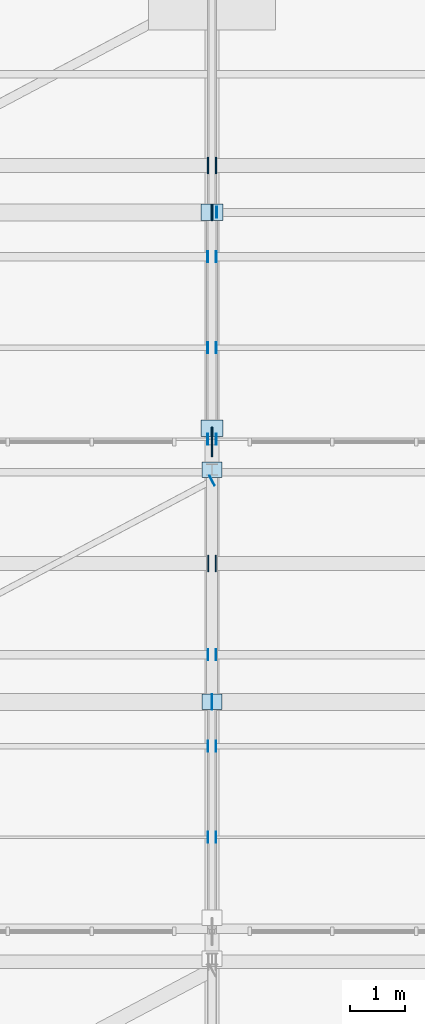
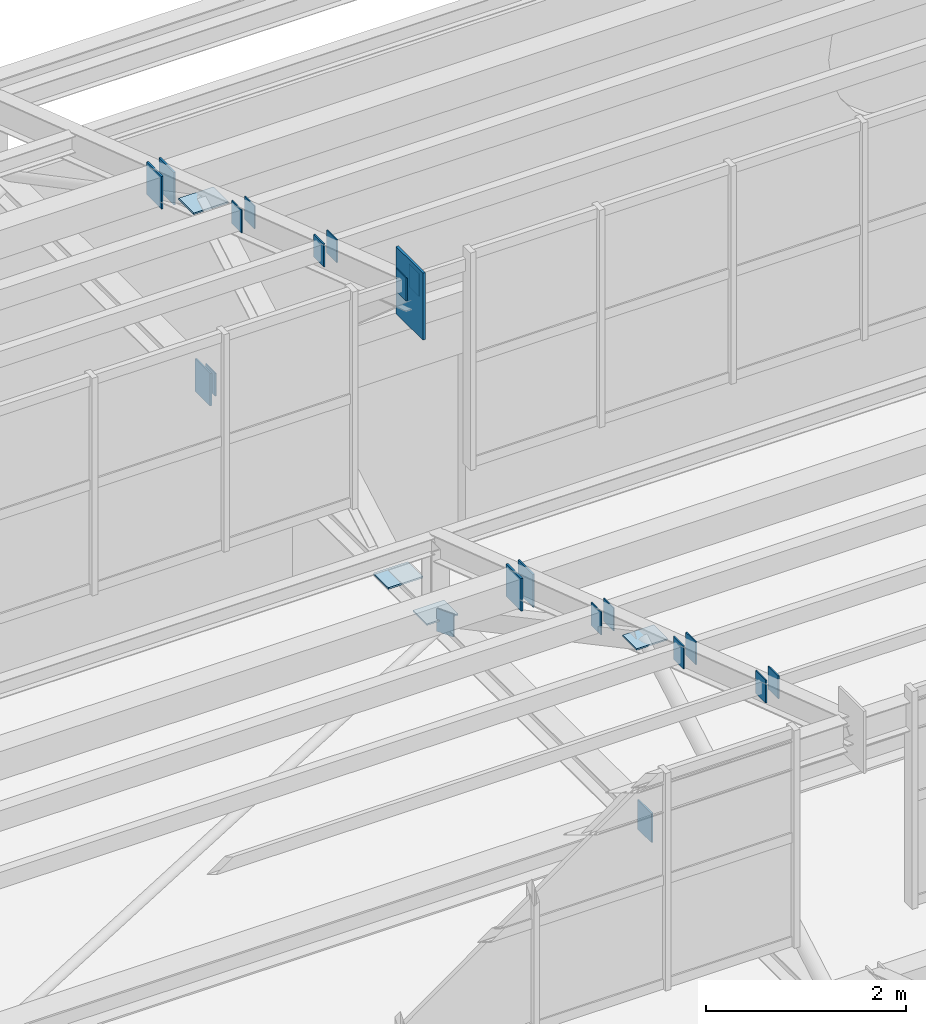
# One storey, part 237 of 285: 25 plates.
"""IFC4 building model written with IfcOpenShell, lengths in metres."""

from ifc_helpers import new_model, si_unit, direction, frame, origin, origin_2d, place, context, subcontext, project, spatial, rectangle, extrude, material, layer, layer_set, type_object, element, save


model = new_model("IFC4")

# Units and contexts
model_context = context("Model", 3, precision=1e-05, world=origin(), true_north=direction((0.0, 1.0)))
body_context = subcontext(model_context, "Body", "Model", "MODEL_VIEW")
ifc_project = project(units=[si_unit("LENGTHUNIT", "METRE"), si_unit("AREAUNIT", "SQUARE_METRE"), si_unit("VOLUMEUNIT", "CUBIC_METRE"), si_unit("PLANEANGLEUNIT", "RADIAN"), si_unit("MASSUNIT", "GRAM", prefix="KILO")], contexts=[model_context])

# Site, building, storey
site_placement = place(None, origin())
site = spatial("IfcSite", under=ifc_project, at=site_placement, CompositionType="ELEMENT")
building_placement = place(site_placement, origin())
building = spatial("IfcBuilding", under=site, at=building_placement, Name="Solanera Park Tramway Depot", CompositionType="ELEMENT")
storey_placement = place(building_placement, origin())
storey = spatial("IfcBuildingStorey", under=building, at=storey_placement, Name="L00", CompositionType="ELEMENT", Elevation=0.0)

# Plates
ifc_material_1 = material(Name="Steel AS/NZS 3679.1 Grade 350", Category="steel")
ifc_layer_1 = layer(ifc_material_1, 0.013916015625)
ifc_layer_set_1 = layer_set([ifc_layer_1], Name="Steel AS/NZS 3679.1 Grade 350")
plate_type_1 = type_object("IfcPlateType", Name="Hollow End Cap and Base Plate 280x200x14", PredefinedType="USERDEFINED", material=ifc_layer_set_1)
for number, where, z_axis, x_axis, name in (
    (1, (29.927978515625, 128.25, 9.5146484375), (0.0, 0.0, 1.0), (1.0, 0.0, 0.0), "Hollow Section Welded End Cap Plate #0945"),
    (2, (30.072021484375, 128.25, 9.5146484375), (0.0, 0.0, 1.0), (1.0, 0.0, 0.0), "Hollow Section Welded End Cap Plate #0946"),
    (3, (29.927978515625, 129.89990234375, 8.92919921875), (0.0, 0.0, 1.0), (1.0, 0.0, 0.0), "Hollow Section Welded End Cap Plate #0957"),
    (4, (30.072021484375, 129.89990234375, 8.92919921875), (0.0, 0.0, 1.0), (1.0, 0.0, 0.0), "Hollow Section Welded End Cap Plate #0958"),
    (5, (29.927978515625, 131.550048828125, 8.34375), (0.0, 0.0, 1.0), (1.0, 0.0, 0.0), "Hollow Section Welded End Cap Plate #0969"),
    (6, (30.072021484375, 131.550048828125, 8.34375), (0.0, 0.0, 1.0), (1.0, 0.0, 0.0), "Hollow Section Welded End Cap Plate #0970"),
    (7, (30.000732421875, 134.701416015625, 6.35986328125), (0.0, 0.0, 1.0), (0.883520501477, 0.468392488698, 0.0), "Hollow Section Welded End Cap Plate #0993"),
    (8, (29.92529296875, 135.449951171875, 10.06689453125), (0.0, 0.0, 1.0), (1.0, 0.0, 0.0), "Hollow Section Welded End Cap Plate #1043"),
    (9, (30.07470703125, 135.449951171875, 10.06689453125), (0.0, 0.0, 1.0), (1.0, 0.0, 0.0), "Hollow Section Welded End Cap Plate #1044"),
    (10, (29.92529296875, 137.10009765625, 9.4814453125), (0.0, 0.0, 1.0), (1.0, 0.0, 0.0), "Hollow Section Welded End Cap Plate #1055"),
    (11, (30.07470703125, 137.10009765625, 9.4814453125), (0.0, 0.0, 1.0), (1.0, 0.0, 0.0), "Hollow Section Welded End Cap Plate #1056"),
    (12, (29.92529296875, 138.75, 8.89599609375), (0.0, 0.0, 1.0), (1.0, 0.0, 0.0), "Hollow Section Welded End Cap Plate #1067"),
    (13, (30.07470703125, 138.75, 8.89599609375), (0.0, 0.0, 1.0), (1.0, 0.0, 0.0), "Hollow Section Welded End Cap Plate #1068"),
    (14, (30.0849609375, 139.550048828125, 6.35986328125), (0.0, 0.0, 1.0), (1.0, 0.0, 0.0), "Hollow Section Welded End Cap Plate #1092"),
):
    element("IfcPlate", number, at=place(storey_placement, frame(where, z_axis=z_axis, x_axis=x_axis)), inside=storey, type_object=plate_type_1, Name=name, ObjectType="BASE PLATE", PredefinedType="USERDEFINED", context=body_context, shape_type="SweptSolid", body=[
        extrude(rectangle(XDim=0.013916015625, YDim=0.199951171875, at=origin_2d()), origin(), (0.0, 0.0, 1.0), 0.280029296875),
    ])
ifc_material_2 = material(Name="Steel AS/NZS 3679.1 Grade 350", Category="steel")
ifc_layer_2 = layer(ifc_material_2, 0.01806640625)
ifc_layer_set_2 = layer_set([ifc_layer_2], Name="Steel AS/NZS 3679.1 Grade 350")
plate_type_2 = type_object("IfcPlateType", Name="Hollow End Cap and Base Plate 360x280x18", PredefinedType="USERDEFINED", material=ifc_layer_set_2)
plate_1_placement = place(storey_placement, frame((30.0, 130.699951171875, 6.31982421875), z_axis=(0.0, 0.0, 1.0), x_axis=(1.0, 0.0, 0.0)))
element("IfcPlate", 15, at=plate_1_placement, inside=storey, type_object=plate_type_2, Name="Sawtooth Truss Hollow End Cap #0910", ObjectType="BASE PLATE", PredefinedType="USERDEFINED", context=body_context, shape_type="SweptSolid", body=[
    extrude(rectangle(XDim=0.01806640625, YDim=0.280029296875, at=origin_2d()), origin(), (0.0, 0.0, 1.0), 0.360107421875),
])
for number, where, z_axis, x_axis, name in (
    (16, (30.0, 134.89990234375, 6.490966796875), (0.0, 0.0, 1.0), (1.0, 0.0, 0.0), "Sawtooth Truss Node Cap Plate #0911"),
    (17, (30.0, 130.699951171875, 8.733642578125), (0.0, 0.0, 1.0), (1.0, 0.0, 0.0), "Sawtooth Truss Node Cap Plate #0912"),
):
    element("IfcPlate", number, at=place(storey_placement, frame(where, z_axis=z_axis, x_axis=x_axis)), inside=storey, type_object=plate_type_2, Name=name, ObjectType="BASE PLATE", PredefinedType="USERDEFINED", context=body_context, shape_type="SweptSolid", body=[
        extrude(rectangle(XDim=0.360107421875, YDim=0.280029296875, at=origin_2d()), origin(), (0.0, 0.0, 1.0), 0.01806640625),
    ])
ifc_material_3 = material(Name="Steel AS/NZS 3679.1 Grade 350", Category="steel")
ifc_layer_3 = layer(ifc_material_3, 0.02001953125)
ifc_layer_set_3 = layer_set([ifc_layer_3], Name="Steel AS/NZS 3679.1 Grade 350")
plate_type_3 = type_object("IfcPlateType", Name="Hollow End Cap and Base Plate 400x300x20", PredefinedType="USERDEFINED", material=ifc_layer_set_3)
for number, where, z_axis, x_axis, name in (
    (18, (29.930908203125, 133.199951171875, 7.6650390625), (0.0, 0.0, 1.0), (1.0, 0.0, 0.0), "Hollow Section Welded End Cap Plate #0981"),
    (19, (30.069091796875, 133.199951171875, 7.6650390625), (0.0, 0.0, 1.0), (1.0, 0.0, 0.0), "Hollow Section Welded End Cap Plate #0982"),
    (20, (30.0, 139.550048828125, 6.300048828125), (0.0, 0.0, 1.0), (1.0, 0.0, 0.0), "Sawtooth Truss Hollow End Cap #1008"),
):
    element("IfcPlate", number, at=place(storey_placement, frame(where, z_axis=z_axis, x_axis=x_axis)), inside=storey, type_object=plate_type_3, Name=name, ObjectType="BASE PLATE", PredefinedType="USERDEFINED", context=body_context, shape_type="SweptSolid", body=[
        extrude(rectangle(XDim=0.02001953125, YDim=0.300048828125, at=origin_2d()), origin(), (0.0, 0.0, 1.0), 0.39990234375),
    ])
for number, where, z_axis, x_axis, name in (
    (21, (30.0, 139.550048828125, 8.70849609375), (0.0, 0.0, 1.0), (1.0, 0.0, 0.0), "Sawtooth Truss Node Cap Plate #1010"),
    (22, (30.0, 135.64990234375, 6.489990234375), (0.0, 0.0, 1.0), (1.0, 0.0, 0.0), "Sawtooth Truss Node Cap Plate #1011"),
):
    element("IfcPlate", number, at=place(storey_placement, frame(where, z_axis=z_axis, x_axis=x_axis)), inside=storey, type_object=plate_type_3, Name=name, ObjectType="BASE PLATE", PredefinedType="USERDEFINED", context=body_context, shape_type="SweptSolid", body=[
        extrude(rectangle(XDim=0.39990234375, YDim=0.300048828125, at=origin_2d()), origin(), (0.0, 0.0, 1.0), 0.02001953125),
    ])
for number, where, z_axis, x_axis, name in (
    (23, (29.92822265625, 140.39990234375, 8.217041015625), (0.0, 0.0, 1.0), (1.0, 0.0, 0.0), "Hollow Section Welded End Cap Plate #1079"),
    (24, (30.07177734375, 140.39990234375, 8.217041015625), (0.0, 0.0, 1.0), (1.0, 0.0, 0.0), "Hollow Section Welded End Cap Plate #1080"),
):
    element("IfcPlate", number, at=place(storey_placement, frame(where, z_axis=z_axis, x_axis=x_axis)), inside=storey, type_object=plate_type_3, Name=name, ObjectType="BASE PLATE", PredefinedType="USERDEFINED", context=body_context, shape_type="SweptSolid", body=[
        extrude(rectangle(XDim=0.02001953125, YDim=0.300048828125, at=origin_2d()), origin(), (0.0, 0.0, 1.0), 0.39990234375),
    ])
ifc_material_4 = material(Name="Steel AS/NZS 3679.1 Grade 350", Category="steel")
ifc_layer_4 = layer(ifc_material_4, 0.028076171875)
ifc_layer_set_4 = layer_set([ifc_layer_4], Name="Steel AS/NZS 3679.1 Grade 350")
plate_type_4 = type_object("IfcPlateType", Name="Truss Node Gusset Stiffener 820x540x28", PredefinedType="SHEET", material=ifc_layer_set_4)
plate_2_placement = place(storey_placement, frame((30.0, 135.39990234375, 9.69677734375), z_axis=(0.0, 0.0, 1.0), x_axis=(1.0, 0.0, 0.0)))
element("IfcPlate", 25, at=plate_2_placement, inside=storey, type_object=plate_type_4, Name="Sawtooth Truss Apex Gusset Plate #1007", PredefinedType="SHEET", context=body_context, shape_type="SweptSolid", body=[
    extrude(rectangle(XDim=0.028076171875, YDim=0.5400390625, at=origin_2d()), origin(), (0.0, 0.0, 1.0), 0.820068359375),
])

save(model, "model.ifc")
